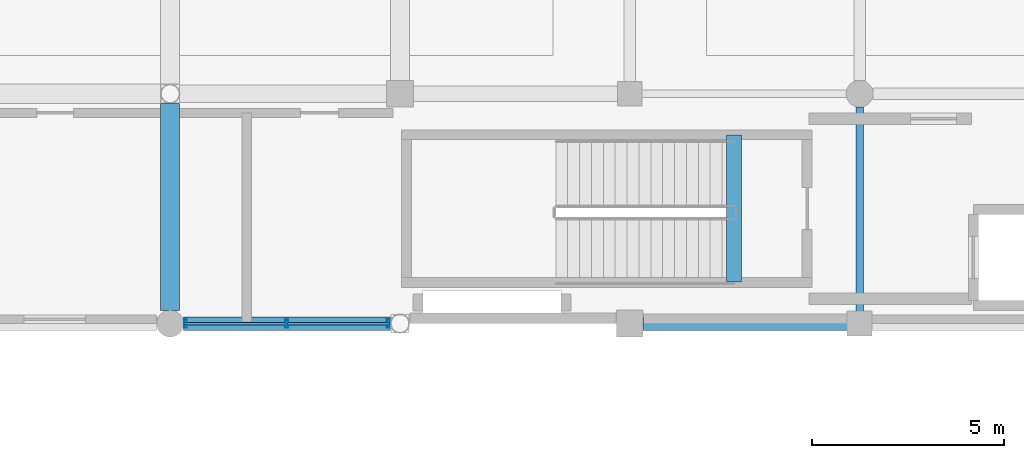
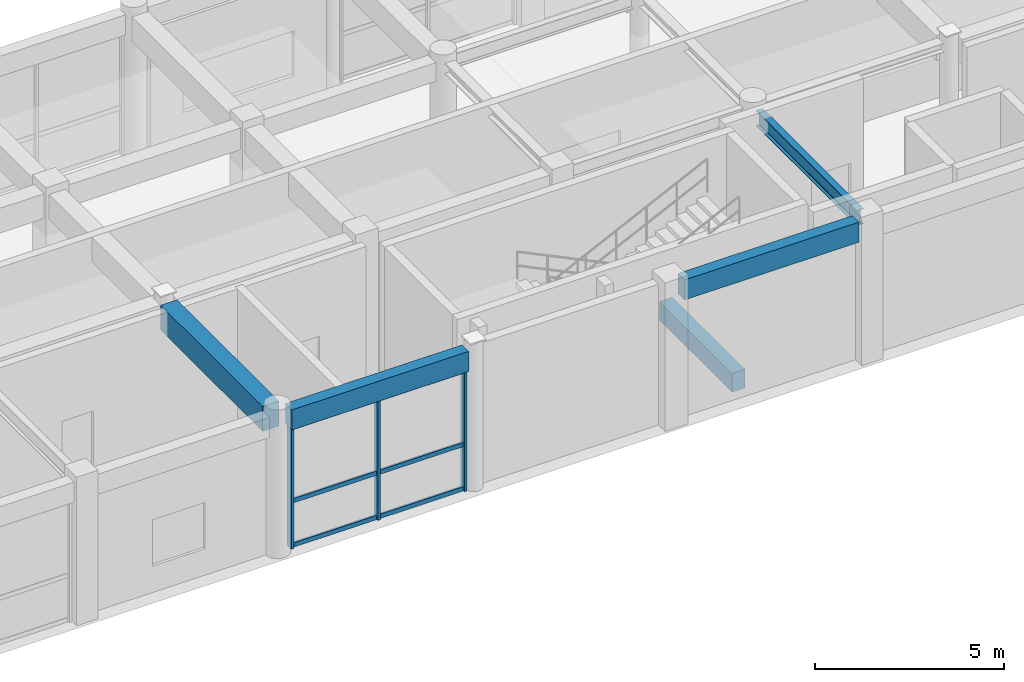
# One storey, part 50 of 112: 9 members, 5 beams, 1 element without a shape of its own.
"""IFC4 building model written with IfcOpenShell, lengths in metres."""

import ifcopenshell
import ifcopenshell.guid

model = None  # the IFC model being written
_history = None  # IfcOwnerHistory: only IFC2X3 demands one
_inside = {}  # id of a spatial element -> (the spatial element, [elements in it])
_under = {}  # id of a project, library or spatial element -> (it, [spatial elements below it])
_declared = {}  # id of a project -> (the project, [libraries it declares])
_typed = {}  # id of a type object -> (the type object, [elements of that type])
_made_of = {}  # id of a material, layer set ... -> (it, [elements and type objects made of it])


def new_model(schema):
    """Start an empty IFC model of exactly this schema.

    Asked for "IFC4X3", IfcOpenShell would pick the latest addendum, in which some entities
    have other attributes; the version numbers below select the first issue.
    IFC2X3 requires an IfcOwnerHistory on every rooted entity: one is made here for all.
    """
    global model, _history
    if schema == "IFC4X3":
        model = ifcopenshell.file(schema_version=(4, 3, 0, 0))
    else:
        model = ifcopenshell.file(schema=schema)
    _inside.clear()
    _under.clear()
    _declared.clear()
    _typed.clear()
    _made_of.clear()
    _history = None
    if model.schema == "IFC2X3":
        org = make("IfcOrganization", Name="unknown")
        user = make(
            "IfcPersonAndOrganization",
            ThePerson=make("IfcPerson", FamilyName="unknown"),
            TheOrganization=org,
        )
        app = make(
            "IfcApplication",
            ApplicationDeveloper=org,
            Version="unknown",
            ApplicationFullName="unknown",
            ApplicationIdentifier="unknown",
        )
        _history = make(
            "IfcOwnerHistory",
            OwningUser=user,
            OwningApplication=app,
            ChangeAction="ADDED",
            CreationDate=0,
        )
    return model


def make(cls, **values):
    """One entity of the class cls with the attributes given. An attribute that is None is left unset."""
    return model.create_entity(
        cls, **{name: value for name, value in values.items() if value is not None}
    )


def rooted(cls, **values):
    """An entity with a GlobalId (a new one), such as an element, a storey or a relation."""
    return make(cls, GlobalId=ifcopenshell.guid.new(), OwnerHistory=_history, **values)


def si_unit(unit_type, name, prefix=None):
    """IfcSIUnit, for example si_unit("LENGTHUNIT", "METRE", prefix="MILLI")."""
    return make("IfcSIUnit", UnitType=unit_type, Prefix=prefix, Name=name)


def assignment(units):
    """IfcUnitAssignment: the units of a project."""
    return None if units is None else make("IfcUnitAssignment", Units=units)


def point(xyz):
    """IfcCartesianPoint."""
    return None if xyz is None else make("IfcCartesianPoint", Coordinates=xyz)


def direction(xyz):
    """IfcDirection."""
    return None if xyz is None else make("IfcDirection", DirectionRatios=xyz)


def frame(location, z_axis=None, x_axis=None):
    """IfcAxis2Placement3D, a coordinate frame: its origin and axes. An axis left out is left unset."""
    return make(
        "IfcAxis2Placement3D",
        Location=point(location),
        Axis=direction(z_axis),
        RefDirection=direction(x_axis),
    )


def frame_2d(location, x_axis=None):
    """IfcAxis2Placement2D, a coordinate frame in the plane: its origin and x axis."""
    return make(
        "IfcAxis2Placement2D", Location=point(location), RefDirection=direction(x_axis)
    )


def origin():
    """The frame at (0, 0, 0) with its axes left unset."""
    return frame((0.0, 0.0, 0.0))


def origin_2d():
    """The frame at (0, 0) in the plane with its x axis left unset."""
    return frame_2d((0.0, 0.0))


def place(relative_to, where):
    """IfcLocalPlacement: puts the frame where relative to a parent placement (None: the world)."""
    return make(
        "IfcLocalPlacement", PlacementRelTo=relative_to, RelativePlacement=where
    )


def context(
    kind, dimensions, precision=None, world=None, true_north=None, identifier=None
):
    """IfcGeometricRepresentationContext, for example the 3D "Model" context."""
    return make(
        "IfcGeometricRepresentationContext",
        ContextIdentifier=identifier,
        ContextType=kind,
        CoordinateSpaceDimension=dimensions,
        Precision=precision,
        WorldCoordinateSystem=world,
        TrueNorth=true_north,
    )


def subcontext(parent, identifier, kind, view, scale=None):
    """IfcGeometricRepresentationSubContext, for example "Body" below "Model"."""
    return make(
        "IfcGeometricRepresentationSubContext",
        ContextIdentifier=identifier,
        ContextType=kind,
        ParentContext=parent,
        TargetScale=scale,
        TargetView=view,
    )


def project(units=None, contexts=None):
    """IfcProject with its units and contexts."""
    return rooted(
        "IfcProject",
        Name="project",
        RepresentationContexts=contexts,
        UnitsInContext=assignment(units),
    )


def spatial(cls, under=None, at=None, **own):
    """A site, building, storey or space (cls), placed at a placement, below another one or the project."""
    s = rooted(cls, ObjectPlacement=at, **own)
    if under is not None:
        _under.setdefault(under.id(), (under, []))[1].append(s)
    return s


def profile(cls, at=None, kind="AREA", **sizes):
    """A parametric profile (cls). Its sizes go by their IFC names, for example OverallWidth=200.0."""
    return make(cls, ProfileType=kind, Position=at, **sizes)


def rectangle(**sizes):
    """IfcRectangleProfileDef."""
    return profile("IfcRectangleProfileDef", **sizes)


def hollow_rectangle(**sizes):
    """IfcRectangleHollowProfileDef."""
    return profile("IfcRectangleHollowProfileDef", **sizes)


def i_section(**sizes):
    """IfcIShapeProfileDef."""
    return profile("IfcIShapeProfileDef", **sizes)


def extrude(swept, where, along, depth):
    """IfcExtrudedAreaSolid: the profile swept, set in the frame where, extruded along a direction by depth."""
    return make(
        "IfcExtrudedAreaSolid",
        SweptArea=swept,
        Position=where,
        ExtrudedDirection=direction(along),
        Depth=depth,
    )


def shape(context_of_items, identifier, shape_type, items):
    """IfcShapeRepresentation: the items that make up one representation, for example the "Body"."""
    return make(
        "IfcShapeRepresentation",
        ContextOfItems=context_of_items,
        RepresentationIdentifier=identifier,
        RepresentationType=shape_type,
        Items=items,
    )


def material(Name=None, Category=None):
    """IfcMaterial."""
    return make("IfcMaterial", Name=Name, Category=Category)


def material_profile(
    of_material, cross_section, Name=None, Category=None, Priority=None
):
    """IfcMaterialProfile: a cross section and its material."""
    return make(
        "IfcMaterialProfile",
        Name=Name,
        Material=of_material,
        Profile=cross_section,
        Priority=Priority,
        Category=Category,
    )


def profile_set(profiles, Name=None, composite=None):
    """IfcMaterialProfileSet."""
    return make(
        "IfcMaterialProfileSet",
        Name=Name,
        MaterialProfiles=profiles,
        CompositeProfile=composite,
    )


def made_of(thing, what):
    """Note that an element or type object is made of a material, layer set ...; save() writes the relation."""
    if what is not None:
        _made_of.setdefault(what.id(), (what, []))[1].append(thing)
    return thing


def type_object(cls, material=None, **own):
    """A type object (cls), such as IfcWallType, which elements share."""
    return made_of(rooted(cls, **own), material)


def element(
    cls,
    number,
    at=None,
    inside=None,
    cuts=None,
    type_object=None,
    material=None,
    context=None,
    identifier="Body",
    shape_type=None,
    held_by="IfcProductDefinitionShape",
    body=None,
    shapes=None,
    **own,
):
    """One element of the class cls, such as IfcWall. Its Tag is "e" and its number.

    at: its placement. inside: the storey or other place that contains it. cuts: it is an
    opening in that element (IfcRelVoidsElement). A single representation is given by context,
    identifier, shape_type and body (its items); several are given by shapes. held_by: the class
    of the entity that holds the representations. save() writes the other relations.
    """
    e = rooted(cls, Tag="e%d" % number, ObjectPlacement=at, **own)
    if body is not None:
        shapes = [shape(context, identifier, shape_type, body)]
    if shapes is not None:
        e.Representation = make(held_by, Representations=shapes)
    if inside is not None:
        _inside.setdefault(inside.id(), (inside, []))[1].append(e)
    if cuts is not None:
        rooted(
            "IfcRelVoidsElement", RelatingBuildingElement=cuts, RelatedOpeningElement=e
        )
    if type_object is not None:
        _typed.setdefault(type_object.id(), (type_object, []))[1].append(e)
    return made_of(e, material)


def aggregate(whole, parts):
    """IfcRelAggregates: a whole, such as a stair, and the parts it consists of."""
    return rooted("IfcRelAggregates", RelatingObject=whole, RelatedObjects=parts)


def save(model, path):
    """Write the relations noted so far, then the file.

    IfcRelAggregates (storeys below a building ...), IfcRelContainedInSpatialStructure (elements
    in a storey), IfcRelDefinesByType, IfcRelAssociatesMaterial and IfcRelDeclares: one each for
    every whole, place, type object, material and project.
    """
    for whole, parts in _under.values():
        aggregate(whole, parts)
    for where, things in _inside.values():
        rooted(
            "IfcRelContainedInSpatialStructure",
            RelatedElements=things,
            RelatingStructure=where,
        )
    for kind, things in _typed.values():
        rooted("IfcRelDefinesByType", RelatedObjects=things, RelatingType=kind)
    for what, things in _made_of.values():
        rooted("IfcRelAssociatesMaterial", RelatedObjects=things, RelatingMaterial=what)
    for by, libraries in _declared.values():
        rooted("IfcRelDeclares", RelatingContext=by, RelatedDefinitions=libraries)
    model.write(path)


model = new_model("IFC4")

# Units and contexts
model_context = context("Model", 3, precision=1e-05, world=origin(), true_north=direction((0.0, 1.0)))
body_context = subcontext(model_context, "Body", "Model", "MODEL_VIEW")
ifc_project = project(units=[si_unit("LENGTHUNIT", "METRE"), si_unit("AREAUNIT", "SQUARE_METRE"), si_unit("VOLUMEUNIT", "CUBIC_METRE"), si_unit("PLANEANGLEUNIT", "RADIAN"), si_unit("MASSUNIT", "GRAM", prefix="KILO"), si_unit("THERMODYNAMICTEMPERATUREUNIT", "KELVIN"), si_unit("POWERUNIT", "WATT")], contexts=[model_context])

# Site, building, storey
site_placement = place(None, origin())
site = spatial("IfcSite", under=ifc_project, at=site_placement, CompositionType="ELEMENT")
building_placement = place(site_placement, origin())
building = spatial("IfcBuilding", under=site, at=building_placement, Name="Phaisarnlok Congress Hotel", CompositionType="ELEMENT")
storey_placement = place(building_placement, frame((0.0, 0.0, 19.800048828125)))
storey = spatial("IfcBuildingStorey", under=building, at=storey_placement, Name="L04", CompositionType="ELEMENT", Elevation=19.800048828125)

# Beams
ifc_material_1 = material(Name="Concrete C40/50", Category="concrete")
ifc_material_profile_1 = material_profile(ifc_material_1, rectangle(XDim=0.39990234375, YDim=0.60009765625, at=origin_2d()), Name="RC 400x600")
ifc_profile_set_1 = profile_set([ifc_material_profile_1], Name="Concrete C40/50")
beam_type_1 = type_object("IfcBeamType", Name="BM-RC-400x600", PredefinedType="BEAM", material=ifc_profile_set_1)
beam_1_placement = place(storey_placement, frame((110.719970703125, 109.080078125, -0.300048828125), z_axis=(0.0, 1.0, 0.0), x_axis=(-1.0, 0.0, 0.0)))
element("IfcBeam", 1, at=beam_1_placement, inside=storey, type_object=beam_type_1, Name="Stair landing header beam B-02 (CORE-4 L04)", PredefinedType="BEAM", context=body_context, shape_type="SweptSolid", body=[
    extrude(rectangle(XDim=0.39990234375, YDim=0.60009765625, at=origin_2d()), origin(), (0.0, 0.0, 1.0), 3.83984375),
])
ifc_material_profile_2 = material_profile(ifc_material_1, rectangle(XDim=0.5, YDim=0.800048828125, at=origin_2d()), Name="RC 500x800")
ifc_profile_set_2 = profile_set([ifc_material_profile_2], Name="Concrete C40/50")
beam_type_2 = type_object("IfcBeamType", Name="BM-RC-500x800", PredefinedType="BEAM", material=ifc_profile_set_2)
beam_2_placement = place(storey_placement, frame((96.0, 108.344970703125, 4.14990234375), z_axis=(0.0, 1.0, 0.0), x_axis=(-1.0, 0.0, 0.0)))
element("IfcBeam", 2, at=beam_2_placement, inside=storey, type_object=beam_type_2, Name="Beam B-04", PredefinedType="BEAM", context=body_context, shape_type="SweptSolid", body=[
    extrude(rectangle(XDim=0.5, YDim=0.800048828125, at=origin_2d()), origin(), (0.0, 0.0, 1.0), 5.406005859375),
])
ifc_material_2 = material(Name="Steel S355", Category="steel")
ifc_material_profile_3 = material_profile(ifc_material_2, i_section(OverallWidth=0.199951171875, OverallDepth=0.5, WebThickness=0.01025390625, FlangeThickness=0.01611328125, FilletRadius=0.02099609375, at=origin_2d()), Name="IPE 500")
ifc_profile_set_3 = profile_set([ifc_material_profile_3], Name="Steel S355")
beam_type_3 = type_object("IfcBeamType", Name="BM-STL-IPE500", PredefinedType="BEAM", material=ifc_profile_set_3)
beam_3_placement = place(storey_placement, frame((114.0, 108.320068359375, 4.300048828125), z_axis=(0.0, 1.0, 0.0), x_axis=(-1.0, 0.0, 0.0)))
element("IfcBeam", 3, at=beam_3_placement, inside=storey, type_object=beam_type_3, Name="Beam SB-02", PredefinedType="BEAM", context=body_context, shape_type="SweptSolid", body=[
    extrude(i_section(OverallWidth=0.199951171875, OverallDepth=0.5, WebThickness=0.01025390625, FlangeThickness=0.01611328125, FilletRadius=0.02099609375, at=origin_2d()), origin(), (0.0, 0.0, 1.0), 5.3349609375),
])

# Curtain wall, members
ifc_material_3 = material(Name="Thermally Broken Unitised Aluminium & Low-E Glazing", Category="aluminium")
curtain_wall_type = type_object("IfcCurtainWallType", Name="CW-UNIT-34", PredefinedType="NOTDEFINED", material=ifc_material_3)
curtain_wall_placement = place(storey_placement, origin())
curtain_wall = element("IfcCurtainWall", 4, at=curtain_wall_placement, inside=storey, type_object=curtain_wall_type, Name="Unitised curtain wall CW-34 (L04)", PredefinedType="NOTDEFINED")
ifc_material_4 = material(Name="Anodised Aluminium Alloy 6063-T6", Category="aluminium")
ifc_material_profile_4 = material_profile(ifc_material_4, hollow_rectangle(XDim=0.074951171875, YDim=0.219970703125, WallThickness=0.0048828125, at=origin_2d()), Name="ALU-M 75x220x5")
ifc_profile_set_4 = profile_set([ifc_material_profile_4], Name="Anodised Aluminium Alloy 6063-T6")
member_type_1 = type_object("IfcMemberType", Name="CWM-220", PredefinedType="MULLION", material=ifc_profile_set_4)
member_1_placement = place(storey_placement, frame((96.39990234375, 108.0, 0.0), z_axis=(0.0, 0.0, 1.0), x_axis=(1.0, 0.0, 0.0)))
member_1 = element("IfcMember", 5, at=member_1_placement, type_object=member_type_1, Name="Curtain wall mullion CWM-02", PredefinedType="MULLION", context=body_context, shape_type="SweptSolid", body=[
    extrude(hollow_rectangle(XDim=0.074951171875, YDim=0.219970703125, WallThickness=0.0048828125, at=origin_2d()), origin(), (0.0, 0.0, 1.0), 3.89990234375),
])
member_2_placement = place(storey_placement, frame((99.048095703125, 108.0, 0.0), z_axis=(0.0, 0.0, 1.0), x_axis=(1.0, 0.0, 0.0)))
member_2 = element("IfcMember", 6, at=member_2_placement, type_object=member_type_1, Name="Curtain wall mullion CWM-02", PredefinedType="MULLION", context=body_context, shape_type="SweptSolid", body=[
    extrude(hollow_rectangle(XDim=0.074951171875, YDim=0.219970703125, WallThickness=0.0048828125, at=origin_2d()), origin(), (0.0, 0.0, 1.0), 3.89990234375),
])
member_3_placement = place(storey_placement, frame((101.696044921875, 108.0, 0.0), z_axis=(0.0, 0.0, 1.0), x_axis=(1.0, 0.0, 0.0)))
member_3 = element("IfcMember", 7, at=member_3_placement, type_object=member_type_1, Name="Curtain wall mullion CWM-02", PredefinedType="MULLION", context=body_context, shape_type="SweptSolid", body=[
    extrude(hollow_rectangle(XDim=0.074951171875, YDim=0.219970703125, WallThickness=0.0048828125, at=origin_2d()), origin(), (0.0, 0.0, 1.0), 3.89990234375),
])
ifc_material_profile_5 = material_profile(ifc_material_4, hollow_rectangle(XDim=0.06494140625, YDim=0.139892578125, WallThickness=0.00390625, at=origin_2d()), Name="ALU-T 65x140x4")
ifc_profile_set_5 = profile_set([ifc_material_profile_5], Name="Anodised Aluminium Alloy 6063-T6")
member_type_2 = type_object("IfcMemberType", Name="CWT-150", PredefinedType="USERDEFINED", material=ifc_profile_set_5)
member_4_placement = place(storey_placement, frame((96.375, 108.0, 0.050048828125), z_axis=(1.0, 0.0, 0.0), x_axis=(0.0, 1.0, 0.0)))
member_4 = element("IfcMember", 8, at=member_4_placement, type_object=member_type_2, Name="Curtain wall transom CWT-01", ObjectType="TRANSOM", PredefinedType="USERDEFINED", context=body_context, shape_type="SweptSolid", body=[
    extrude(hollow_rectangle(XDim=0.06494140625, YDim=0.139892578125, WallThickness=0.00390625, at=origin_2d()), origin(), (0.0, 0.0, 1.0), 2.657958984375),
])
member_5_placement = place(storey_placement, frame((96.375, 108.0, 1.48193359375), z_axis=(1.0, 0.0, 0.0), x_axis=(0.0, 1.0, 0.0)))
member_5 = element("IfcMember", 9, at=member_5_placement, type_object=member_type_2, Name="Curtain wall transom CWT-01", ObjectType="TRANSOM", PredefinedType="USERDEFINED", context=body_context, shape_type="SweptSolid", body=[
    extrude(hollow_rectangle(XDim=0.06494140625, YDim=0.139892578125, WallThickness=0.00390625, at=origin_2d()), origin(), (0.0, 0.0, 1.0), 2.657958984375),
])
member_6_placement = place(storey_placement, frame((96.375, 108.0, 3.849853515625), z_axis=(1.0, 0.0, 0.0), x_axis=(0.0, 1.0, 0.0)))
member_6 = element("IfcMember", 10, at=member_6_placement, type_object=member_type_2, Name="Curtain wall transom CWT-01", ObjectType="TRANSOM", PredefinedType="USERDEFINED", context=body_context, shape_type="SweptSolid", body=[
    extrude(hollow_rectangle(XDim=0.06494140625, YDim=0.139892578125, WallThickness=0.00390625, at=origin_2d()), origin(), (0.0, 0.0, 1.0), 2.657958984375),
])
member_7_placement = place(storey_placement, frame((99.06298828125, 108.0, 0.050048828125), z_axis=(1.0, 0.0, 0.0), x_axis=(0.0, 1.0, 0.0)))
member_7 = element("IfcMember", 11, at=member_7_placement, type_object=member_type_2, Name="Curtain wall transom CWT-01", ObjectType="TRANSOM", PredefinedType="USERDEFINED", context=body_context, shape_type="SweptSolid", body=[
    extrude(hollow_rectangle(XDim=0.06494140625, YDim=0.139892578125, WallThickness=0.00390625, at=origin_2d()), origin(), (0.0, 0.0, 1.0), 2.657958984375),
])
member_8_placement = place(storey_placement, frame((99.06298828125, 108.0, 1.48193359375), z_axis=(1.0, 0.0, 0.0), x_axis=(0.0, 1.0, 0.0)))
member_8 = element("IfcMember", 12, at=member_8_placement, type_object=member_type_2, Name="Curtain wall transom CWT-01", ObjectType="TRANSOM", PredefinedType="USERDEFINED", context=body_context, shape_type="SweptSolid", body=[
    extrude(hollow_rectangle(XDim=0.06494140625, YDim=0.139892578125, WallThickness=0.00390625, at=origin_2d()), origin(), (0.0, 0.0, 1.0), 2.657958984375),
])
member_9_placement = place(storey_placement, frame((99.06298828125, 108.0, 3.849853515625), z_axis=(1.0, 0.0, 0.0), x_axis=(0.0, 1.0, 0.0)))
member_9 = element("IfcMember", 13, at=member_9_placement, type_object=member_type_2, Name="Curtain wall transom CWT-01", ObjectType="TRANSOM", PredefinedType="USERDEFINED", context=body_context, shape_type="SweptSolid", body=[
    extrude(hollow_rectangle(XDim=0.06494140625, YDim=0.139892578125, WallThickness=0.00390625, at=origin_2d()), origin(), (0.0, 0.0, 1.0), 2.657958984375),
])
aggregate(curtain_wall, [member_1, member_2, member_3, member_4, member_5, member_6, member_7, member_8, member_9])

# Beams
ifc_material_profile_6 = material_profile(ifc_material_1, rectangle(XDim=0.35009765625, YDim=0.64990234375, at=origin_2d()), Name="RC 350x650")
ifc_profile_set_6 = profile_set([ifc_material_profile_6], Name="Concrete C40/50")
beam_type_4 = type_object("IfcBeamType", Name="SP-RC-350x650", PredefinedType="SPANDREL", material=ifc_profile_set_6)
beam_4_placement = place(storey_placement, frame((96.344970703125, 108.0, 4.224853515625), z_axis=(1.0, 0.0, 0.0), x_axis=(0.0, 1.0, 0.0)))
element("IfcBeam", 14, at=beam_4_placement, inside=storey, type_object=beam_type_4, Name="Beam SP-01", PredefinedType="SPANDREL", context=body_context, shape_type="SweptSolid", body=[
    extrude(rectangle(XDim=0.35009765625, YDim=0.64990234375, at=origin_2d()), origin(), (0.0, 0.0, 1.0), 5.406005859375),
])
beam_5_placement = place(storey_placement, frame((108.344970703125, 108.0, 4.224853515625), z_axis=(1.0, 0.0, 0.0), x_axis=(0.0, 1.0, 0.0)))
element("IfcBeam", 15, at=beam_5_placement, inside=storey, type_object=beam_type_4, Name="Beam SP-01", PredefinedType="SPANDREL", context=body_context, shape_type="SweptSolid", body=[
    extrude(rectangle(XDim=0.35009765625, YDim=0.64990234375, at=origin_2d()), origin(), (0.0, 0.0, 1.0), 5.3349609375),
])

save(model, "model.ifc")
